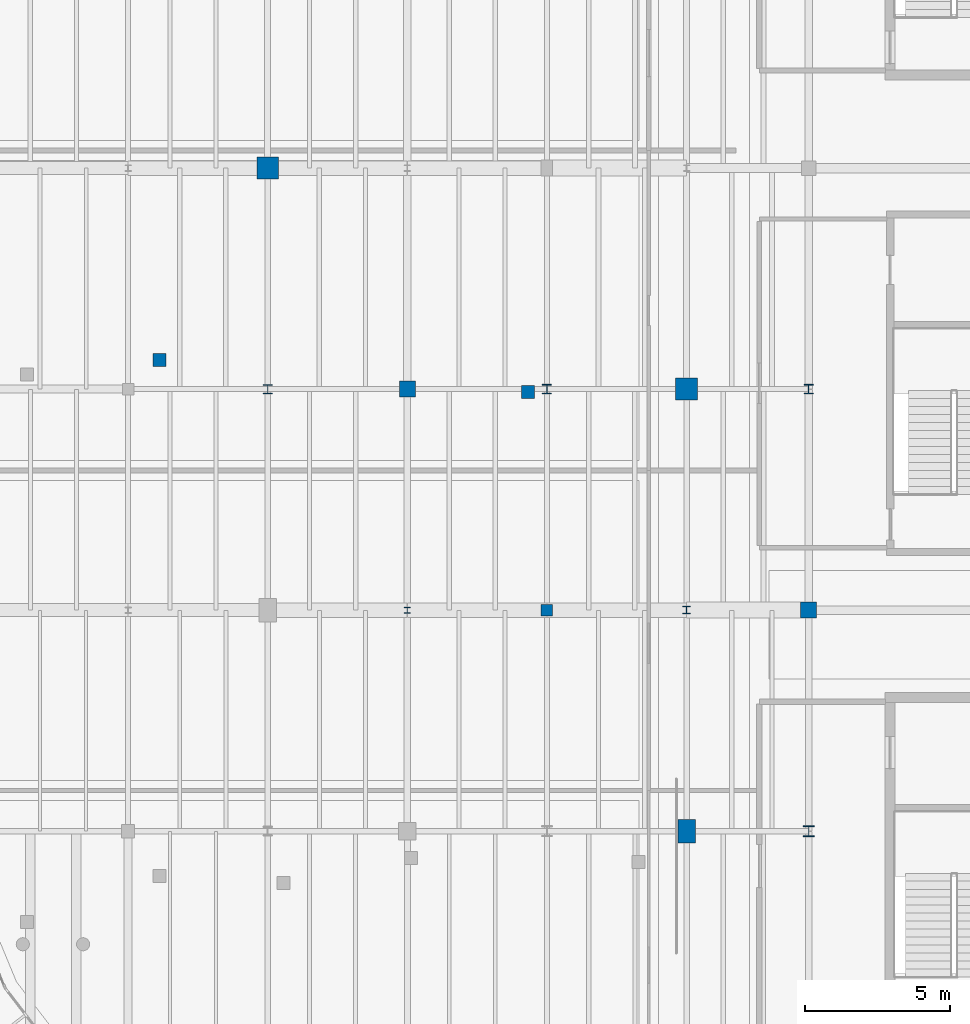
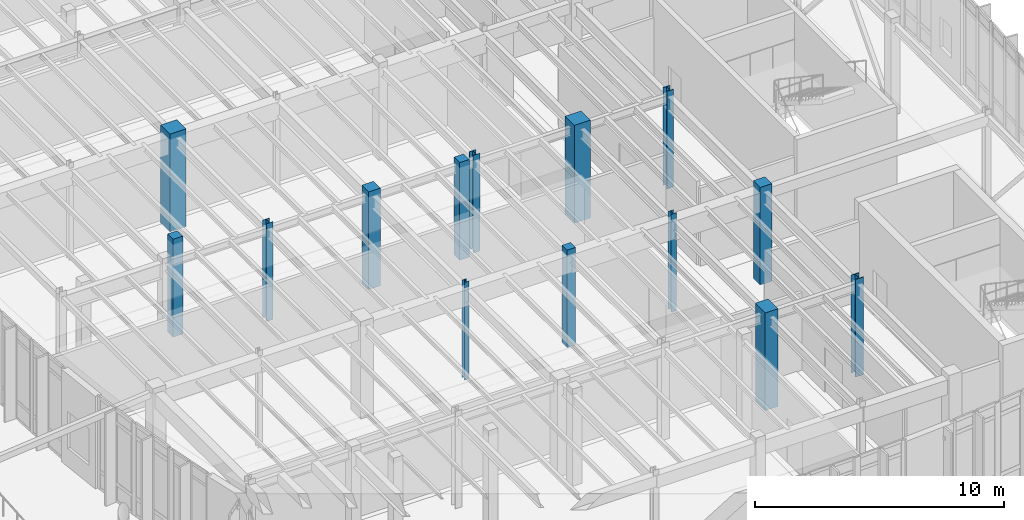
# One storey, part 16 of 120: 14 columns.
"""IFC4 building model written with IfcOpenShell, lengths in metres."""

from ifc_helpers import new_model, si_unit, direction, frame, origin, origin_2d, place, context, subcontext, project, spatial, rectangle, i_section, extrude, material, material_profile, profile_set, type_object, element, save


model = new_model("IFC4")

# Units and contexts
model_context = context("Model", 3, precision=1e-05, world=origin(), true_north=direction((0.0, 1.0)))
body_context = subcontext(model_context, "Body", "Model", "MODEL_VIEW")
ifc_project = project(units=[si_unit("LENGTHUNIT", "METRE"), si_unit("AREAUNIT", "SQUARE_METRE"), si_unit("VOLUMEUNIT", "CUBIC_METRE"), si_unit("PLANEANGLEUNIT", "RADIAN"), si_unit("MASSUNIT", "GRAM", prefix="KILO")], contexts=[model_context])

# Site, building, storey
site_placement = place(None, origin())
site = spatial("IfcSite", under=ifc_project, at=site_placement, CompositionType="ELEMENT")
building_placement = place(site_placement, origin())
building = spatial("IfcBuilding", under=site, at=building_placement, Name="Corveleigh Park Community Centre", CompositionType="ELEMENT")
storey_placement = place(building_placement, origin())
storey = spatial("IfcBuildingStorey", under=building, at=storey_placement, Name="L00", CompositionType="ELEMENT", Elevation=0.0)

# Columns
ifc_material_1 = material(Name="Concrete C40/50", Category="concrete")
ifc_material_profile_1 = material_profile(ifc_material_1, rectangle(XDim=0.39990234375, YDim=0.39990234375, at=origin_2d()), Name="RC-400x400", Category="concrete")
ifc_profile_set_1 = profile_set([ifc_material_profile_1], Name="Concrete C40/50")
column_type_1 = type_object("IfcColumnType", Name="COL-RC-400x400", PredefinedType="COLUMN", material=ifc_profile_set_1)
column_1_placement = place(storey_placement, frame((149.0, 73.800048828125, 0.0), z_axis=(0.0, 0.0, 1.0), x_axis=(1.0, 0.0, 0.0)))
element("IfcColumn", 1, at=column_1_placement, inside=storey, type_object=column_type_1, Name="Column V4-X4Y2 L00", PredefinedType="COLUMN", context=body_context, shape_type="SweptSolid", body=[
    extrude(rectangle(XDim=0.39990234375, YDim=0.39990234375, at=origin_2d()), origin(), (0.0, 0.0, 1.0), 4.800048828125),
])
ifc_material_profile_2 = material_profile(ifc_material_1, rectangle(XDim=0.449951171875, YDim=0.449951171875, at=origin_2d()), Name="RC-450x450", Category="concrete")
ifc_profile_set_2 = profile_set([ifc_material_profile_2], Name="Concrete C40/50")
column_type_2 = type_object("IfcColumnType", Name="COL-RC-450x450", PredefinedType="COLUMN", material=ifc_profile_set_2)
for number, where, z_axis, x_axis, name in (
    (2, (135.674072265625, 82.39990234375, 0.0), (0.0, 0.0, 1.0), (1.0, 0.0, 0.0), "External deck support pier 132 L00"),
    (3, (148.35302734375, 81.300048828125, 0.0), (0.0, 0.0, 1.0), (1.0, 0.0, 0.0), "External deck support pier 138 L00"),
):
    element("IfcColumn", number, at=place(storey_placement, frame(where, z_axis=z_axis, x_axis=x_axis)), inside=storey, type_object=column_type_2, Name=name, PredefinedType="COLUMN", context=body_context, shape_type="SweptSolid", body=[
        extrude(rectangle(XDim=0.449951171875, YDim=0.449951171875, at=origin_2d()), origin(), (0.0, 0.0, 1.0), 4.800048828125),
    ])
ifc_material_profile_3 = material_profile(ifc_material_1, rectangle(XDim=0.550048828125, YDim=0.550048828125, at=origin_2d()), Name="RC-550x550", Category="concrete")
ifc_profile_set_3 = profile_set([ifc_material_profile_3], Name="Concrete C40/50")
column_type_3 = type_object("IfcColumnType", Name="COL-RC-550x550", PredefinedType="COLUMN", material=ifc_profile_set_3)
for number, where, z_axis, x_axis, name in (
    (4, (144.199951171875, 81.39990234375, 0.0), (0.0, 0.0, 1.0), (1.0, 0.0, 0.0), "Column V4-X3Y3 L00"),
    (5, (158.0, 73.800048828125, 0.0), (0.0, 0.0, 1.0), (1.0, 0.0, 0.0), "Column V4-X6Y2 L00"),
):
    element("IfcColumn", number, at=place(storey_placement, frame(where, z_axis=z_axis, x_axis=x_axis)), inside=storey, type_object=column_type_3, Name=name, PredefinedType="COLUMN", context=body_context, shape_type="SweptSolid", body=[
        extrude(rectangle(XDim=0.550048828125, YDim=0.550048828125, at=origin_2d()), origin(), (0.0, 0.0, 1.0), 4.800048828125),
    ])
ifc_material_profile_4 = material_profile(ifc_material_1, rectangle(XDim=0.60009765625, YDim=0.800048828125, at=origin_2d()), Name="RC-600x800", Category="concrete")
ifc_profile_set_4 = profile_set([ifc_material_profile_4], Name="Concrete C40/50")
column_type_4 = type_object("IfcColumnType", Name="COL-RC-600x800", PredefinedType="COLUMN", material=ifc_profile_set_4)
column_2_placement = place(storey_placement, frame((153.800048828125, 66.199951171875, 0.0), z_axis=(0.0, 0.0, 1.0), x_axis=(1.0, 0.0, 0.0)))
element("IfcColumn", 6, at=column_2_placement, inside=storey, type_object=column_type_4, Name="Column V4-X5Y1 L00", PredefinedType="COLUMN", context=body_context, shape_type="SweptSolid", body=[
    extrude(rectangle(XDim=0.60009765625, YDim=0.800048828125, at=origin_2d()), origin(), (0.0, 0.0, 1.0), 4.800048828125),
])
ifc_material_profile_5 = material_profile(ifc_material_1, rectangle(XDim=0.75, YDim=0.75, at=origin_2d()), Name="RC-750x750", Category="concrete")
ifc_profile_set_5 = profile_set([ifc_material_profile_5], Name="Concrete C40/50")
column_type_5 = type_object("IfcColumnType", Name="COL-RC-750x750", PredefinedType="COLUMN", material=ifc_profile_set_5)
for number, where, z_axis, x_axis, name in (
    (7, (139.39990234375, 89.0, 0.0), (0.0, 0.0, 1.0), (1.0, 0.0, 0.0), "Column V4-X2Y4 L00"),
    (8, (153.800048828125, 81.39990234375, 0.0), (0.0, 0.0, 1.0), (1.0, 0.0, 0.0), "Column V4-X5Y3 L00"),
):
    element("IfcColumn", number, at=place(storey_placement, frame(where, z_axis=z_axis, x_axis=x_axis)), inside=storey, type_object=column_type_5, Name=name, PredefinedType="COLUMN", context=body_context, shape_type="SweptSolid", body=[
        extrude(rectangle(XDim=0.75, YDim=0.75, at=origin_2d()), origin(), (0.0, 0.0, 1.0), 4.800048828125),
    ])
ifc_material_2 = material(Name="Steel S355", Category="steel")
ifc_material_profile_6 = material_profile(ifc_material_2, i_section(OverallWidth=0.206298828125, OverallDepth=0.2158203125, WebThickness=0.010009765625, FlangeThickness=0.017333984375, at=origin_2d()), Name="UKC 203x203x71", Category="steel")
ifc_profile_set_6 = profile_set([ifc_material_profile_6], Name="Steel S355")
column_type_6 = type_object("IfcColumnType", Name="COL-STL-UKC203x71", PredefinedType="COLUMN", material=ifc_profile_set_6)
column_3_placement = place(storey_placement, frame((144.199951171875, 73.800048828125, 0.0), z_axis=(0.0, 0.0, 1.0), x_axis=(1.0, 0.0, 0.0)))
element("IfcColumn", 9, at=column_3_placement, inside=storey, type_object=column_type_6, Name="Column V4-X3Y2 L00", PredefinedType="COLUMN", context=body_context, shape_type="SweptSolid", body=[
    extrude(i_section(OverallWidth=0.206298828125, OverallDepth=0.2158203125, WebThickness=0.010009765625, FlangeThickness=0.017333984375, at=origin_2d()), origin(), (0.0, 0.0, 1.0), 4.800048828125),
])
ifc_material_profile_7 = material_profile(ifc_material_2, i_section(OverallWidth=0.254638671875, OverallDepth=0.254150390625, WebThickness=0.008544921875, FlangeThickness=0.01416015625, at=origin_2d()), Name="UKC 254x254x73", Category="steel")
ifc_profile_set_7 = profile_set([ifc_material_profile_7], Name="Steel S355")
column_type_7 = type_object("IfcColumnType", Name="COL-STL-UKC254x73", PredefinedType="COLUMN", material=ifc_profile_set_7)
column_4_placement = place(storey_placement, frame((153.800048828125, 73.800048828125, 0.0), z_axis=(0.0, 0.0, 1.0), x_axis=(1.0, 0.0, 0.0)))
element("IfcColumn", 10, at=column_4_placement, inside=storey, type_object=column_type_7, Name="Column V4-X5Y2 L00", PredefinedType="COLUMN", context=body_context, shape_type="SweptSolid", body=[
    extrude(i_section(OverallWidth=0.254638671875, OverallDepth=0.254150390625, WebThickness=0.008544921875, FlangeThickness=0.01416015625, at=origin_2d()), origin(), (0.0, 0.0, 1.0), 4.800048828125),
])
ifc_material_profile_8 = material_profile(ifc_material_2, i_section(OverallWidth=0.307373046875, OverallDepth=0.314453125, WebThickness=0.011962890625, FlangeThickness=0.018798828125, at=origin_2d()), Name="UKC 305x305x118", Category="steel")
ifc_profile_set_8 = profile_set([ifc_material_profile_8], Name="Steel S355")
column_type_8 = type_object("IfcColumnType", Name="COL-STL-UKC305x118", PredefinedType="COLUMN", material=ifc_profile_set_8)
column_5_placement = place(storey_placement, frame((139.39990234375, 81.39990234375, 0.0), z_axis=(0.0, 0.0, 1.0), x_axis=(1.0, 0.0, 0.0)))
element("IfcColumn", 11, at=column_5_placement, inside=storey, type_object=column_type_8, Name="Column V4-X2Y3 L00", PredefinedType="COLUMN", context=body_context, shape_type="SweptSolid", body=[
    extrude(i_section(OverallWidth=0.307373046875, OverallDepth=0.314453125, WebThickness=0.011962890625, FlangeThickness=0.018798828125, at=origin_2d()), origin(), (0.0, 0.0, 1.0), 4.800048828125),
])
ifc_material_profile_9 = material_profile(ifc_material_2, i_section(OverallWidth=0.30908203125, OverallDepth=0.320556640625, WebThickness=0.013916015625, FlangeThickness=0.021728515625, at=origin_2d()), Name="UKC 305x305x137", Category="steel")
ifc_profile_set_9 = profile_set([ifc_material_profile_9], Name="Steel S355")
column_type_9 = type_object("IfcColumnType", Name="COL-STL-UKC305x137", PredefinedType="COLUMN", material=ifc_profile_set_9)
column_6_placement = place(storey_placement, frame((149.0, 81.39990234375, 0.0), z_axis=(0.0, 0.0, 1.0), x_axis=(1.0, 0.0, 0.0)))
element("IfcColumn", 12, at=column_6_placement, inside=storey, type_object=column_type_9, Name="Column V4-X4Y3 L00", PredefinedType="COLUMN", context=body_context, shape_type="SweptSolid", body=[
    extrude(i_section(OverallWidth=0.30908203125, OverallDepth=0.320556640625, WebThickness=0.013916015625, FlangeThickness=0.021728515625, at=origin_2d()), origin(), (0.0, 0.0, 1.0), 4.800048828125),
])
ifc_material_profile_10 = material_profile(ifc_material_2, i_section(OverallWidth=0.311279296875, OverallDepth=0.3271484375, WebThickness=0.015869140625, FlangeThickness=0.02490234375, at=origin_2d()), Name="UKC 305x305x158", Category="steel")
ifc_profile_set_10 = profile_set([ifc_material_profile_10], Name="Steel S355")
column_type_10 = type_object("IfcColumnType", Name="COL-STL-UKC305x158", PredefinedType="COLUMN", material=ifc_profile_set_10)
column_7_placement = place(storey_placement, frame((158.0, 81.39990234375, 0.0), z_axis=(0.0, 0.0, 1.0), x_axis=(1.0, 0.0, 0.0)))
element("IfcColumn", 13, at=column_7_placement, inside=storey, type_object=column_type_10, Name="Column V4-X6Y3 L00", PredefinedType="COLUMN", context=body_context, shape_type="SweptSolid", body=[
    extrude(i_section(OverallWidth=0.311279296875, OverallDepth=0.3271484375, WebThickness=0.015869140625, FlangeThickness=0.02490234375, at=origin_2d()), origin(), (0.0, 0.0, 1.0), 4.800048828125),
])
ifc_material_profile_11 = material_profile(ifc_material_2, i_section(OverallWidth=0.37255859375, OverallDepth=0.3681640625, WebThickness=0.014404296875, FlangeThickness=0.023681640625, at=origin_2d()), Name="UKC 356x368x177", Category="steel")
ifc_profile_set_11 = profile_set([ifc_material_profile_11], Name="Steel S355")
column_type_11 = type_object("IfcColumnType", Name="COL-STL-UKC356x177", PredefinedType="COLUMN", material=ifc_profile_set_11)
column_8_placement = place(storey_placement, frame((158.0, 66.199951171875, 0.0), z_axis=(0.0, 0.0, 1.0), x_axis=(1.0, 0.0, 0.0)))
element("IfcColumn", 14, at=column_8_placement, inside=storey, type_object=column_type_11, Name="Column V4-X6Y1 L00", PredefinedType="COLUMN", context=body_context, shape_type="SweptSolid", body=[
    extrude(i_section(OverallWidth=0.37255859375, OverallDepth=0.3681640625, WebThickness=0.014404296875, FlangeThickness=0.023681640625, at=origin_2d()), origin(), (0.0, 0.0, 1.0), 4.800048828125),
])

save(model, "model.ifc")
